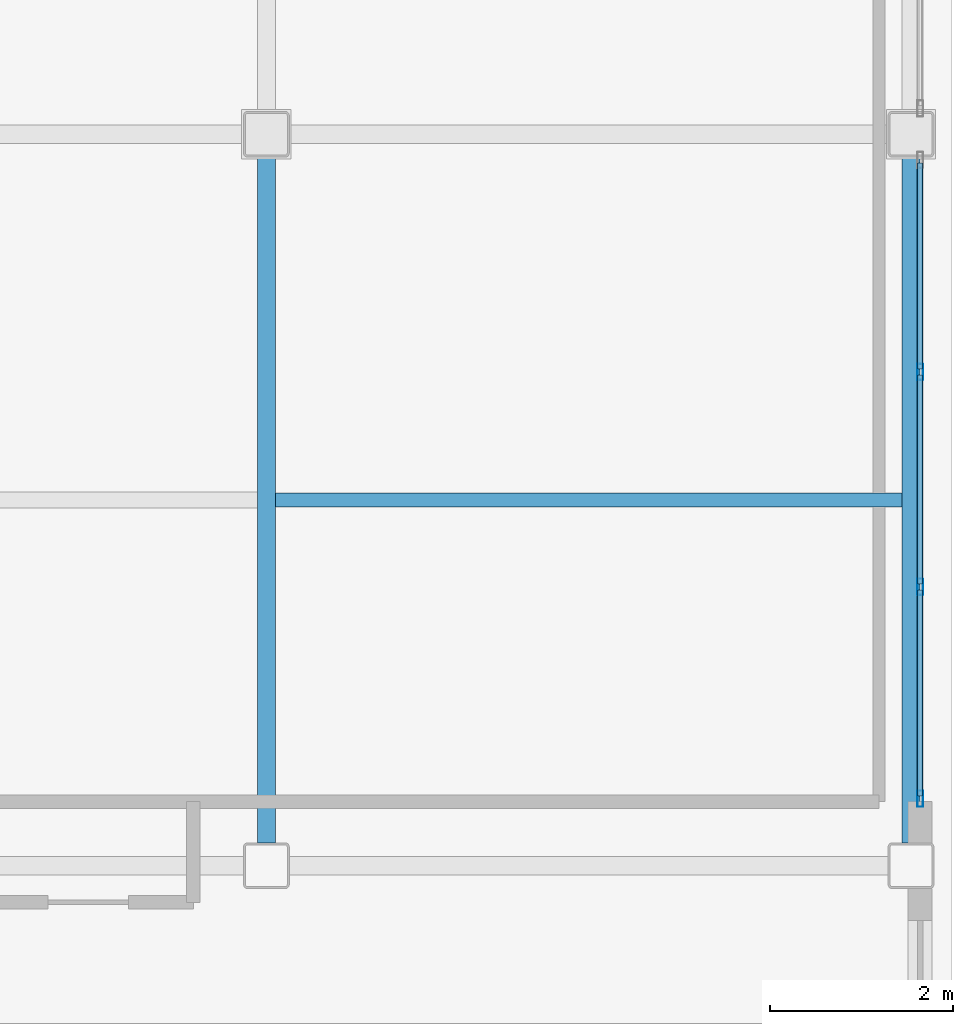
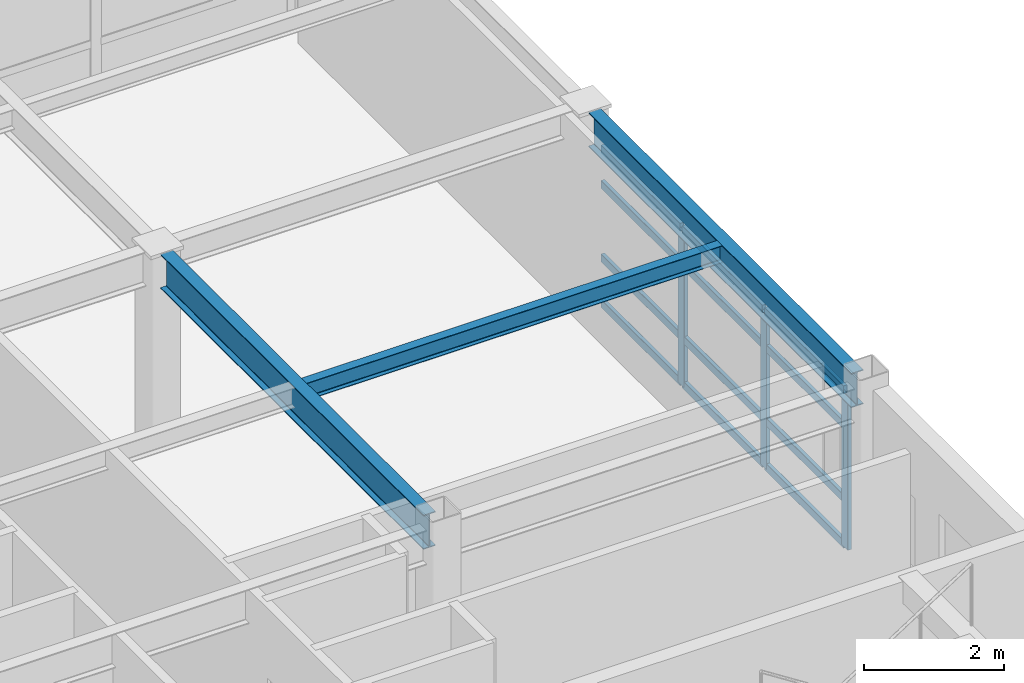
# One storey, part 16 of 33: 15 members, 3 beams, 1 element without a shape of its own.
"""IFC4 building model written with IfcOpenShell, lengths in metres."""

from ifc_helpers import new_model, si_unit, direction, frame, origin, origin_2d, place, context, subcontext, project, spatial, hollow_rectangle, i_section, extrude, material, layer, layer_set, material_profile, profile_set, type_object, element, aggregate, save


model = new_model("IFC4")

# Units and contexts
model_context = context("Model", 3, precision=1e-05, world=origin(), true_north=direction((0.0, 1.0)))
body_context = subcontext(model_context, "Body", "Model", "MODEL_VIEW")
ifc_project = project(units=[si_unit("LENGTHUNIT", "METRE"), si_unit("AREAUNIT", "SQUARE_METRE"), si_unit("VOLUMEUNIT", "CUBIC_METRE"), si_unit("PLANEANGLEUNIT", "RADIAN"), si_unit("MASSUNIT", "GRAM", prefix="KILO")], contexts=[model_context])

# Site, building, storey
site_placement = place(None, origin())
site = spatial("IfcSite", under=ifc_project, at=site_placement, CompositionType="ELEMENT")
building_placement = place(site_placement, origin())
building = spatial("IfcBuilding", under=site, at=building_placement, Name="Kazehara Bluff Congress Hotel", CompositionType="ELEMENT")
storey_placement = place(building_placement, frame((0.0, 0.0, 39.0)))
storey = spatial("IfcBuildingStorey", under=building, at=storey_placement, Name="L09", CompositionType="ELEMENT", Elevation=39.0)

# Curtain wall, members
ifc_material_1 = material(Name="Anodised aluminium", Category="aluminium")
ifc_layer = layer(ifc_material_1, 0.159912109375)
ifc_layer_set = layer_set([ifc_layer], Name="Anodised aluminium")
curtain_wall_type = type_object("IfcCurtainWallType", Name="TP-CW-194", PredefinedType="NOTDEFINED", material=ifc_layer_set)
curtain_wall_placement = place(storey_placement, origin())
curtain_wall = element("IfcCurtainWall", 1, at=curtain_wall_placement, inside=storey, type_object=curtain_wall_type, Name="L09 curtain wall CW-194 CW-ENC-V5-L09-16765-8512", PredefinedType="NOTDEFINED")
ifc_material_2 = material(Name="Anodised aluminium", Category="aluminium")
ifc_material_profile_1 = material_profile(ifc_material_2, hollow_rectangle(XDim=0.06494140625, YDim=0.179931640625, WallThickness=0.00390625, InnerFilletRadius=0.00390625, OuterFilletRadius=0.008056640625, at=origin_2d()))
ifc_profile_set_1 = profile_set([ifc_material_profile_1], Name="Anodised aluminium")
member_type_1 = type_object("IfcMemberType", Name="TP-CWM-02", PredefinedType="MULLION", material=ifc_profile_set_1)
member_1_placement = place(storey_placement, frame((167.64990234375, 86.300048828125, 0.0), z_axis=(0.0, 0.0, 1.0), x_axis=(1.0, 0.0, 0.0)))
member_1 = element("IfcMember", 2, at=member_1_placement, type_object=member_type_1, Name="CW-194 mullion 2", PredefinedType="MULLION", context=body_context, shape_type="SweptSolid", body=[
    extrude(hollow_rectangle(XDim=0.06494140625, YDim=0.179931640625, WallThickness=0.00390625, InnerFilletRadius=0.00390625, OuterFilletRadius=0.008056640625, at=origin_2d()), origin(), (0.0, 0.0, 1.0), 2.7548828125),
])
member_2_placement = place(storey_placement, frame((167.64990234375, 83.949951171875, 0.0), z_axis=(0.0, 0.0, 1.0), x_axis=(1.0, 0.0, 0.0)))
member_2 = element("IfcMember", 3, at=member_2_placement, type_object=member_type_1, Name="CW-194 mullion 3", PredefinedType="MULLION", context=body_context, shape_type="SweptSolid", body=[
    extrude(hollow_rectangle(XDim=0.06494140625, YDim=0.179931640625, WallThickness=0.00390625, InnerFilletRadius=0.00390625, OuterFilletRadius=0.008056640625, at=origin_2d()), origin(), (0.0, 0.0, 1.0), 2.7548828125),
])
member_3_placement = place(storey_placement, frame((167.64990234375, 81.632568359375, 0.0), z_axis=(0.0, 0.0, 1.0), x_axis=(1.0, 0.0, 0.0)))
member_3 = element("IfcMember", 4, at=member_3_placement, type_object=member_type_1, Name="CW-194 mullion 4", PredefinedType="MULLION", context=body_context, shape_type="SweptSolid", body=[
    extrude(hollow_rectangle(XDim=0.06494140625, YDim=0.179931640625, WallThickness=0.00390625, InnerFilletRadius=0.00390625, OuterFilletRadius=0.008056640625, at=origin_2d()), origin(), (0.0, 0.0, 1.0), 2.7548828125),
])
ifc_material_3 = material(Name="Anodised aluminium", Category="aluminium")
ifc_material_profile_2 = material_profile(ifc_material_3, hollow_rectangle(XDim=0.06494140625, YDim=0.139892578125, WallThickness=0.00390625, InnerFilletRadius=0.00390625, OuterFilletRadius=0.008056640625, at=origin_2d()))
ifc_profile_set_2 = profile_set([ifc_material_profile_2], Name="Anodised aluminium")
member_type_2 = type_object("IfcMemberType", Name="TP-CWT-02", PredefinedType="USERDEFINED", material=ifc_profile_set_2)
member_4_placement = place(storey_placement, frame((167.64990234375, 88.5849609375, 0.032470703125), z_axis=(0.0, -1.0, 0.0), x_axis=(1.0, 0.0, 0.0)))
member_4 = element("IfcMember", 5, at=member_4_placement, type_object=member_type_2, Name="CW-194 transom 1.1", ObjectType="TRANSOM", PredefinedType="USERDEFINED", context=body_context, shape_type="SweptSolid", body=[
    extrude(hollow_rectangle(XDim=0.06494140625, YDim=0.139892578125, WallThickness=0.00390625, InnerFilletRadius=0.00390625, OuterFilletRadius=0.008056640625, at=origin_2d()), origin(), (0.0, 0.0, 1.0), 2.25244140625),
])
member_5_placement = place(storey_placement, frame((167.64990234375, 88.5849609375, 0.824951171875), z_axis=(0.0, -1.0, 0.0), x_axis=(1.0, 0.0, 0.0)))
member_5 = element("IfcMember", 6, at=member_5_placement, type_object=member_type_2, Name="CW-194 transom 1.2", ObjectType="TRANSOM", PredefinedType="USERDEFINED", context=body_context, shape_type="SweptSolid", body=[
    extrude(hollow_rectangle(XDim=0.06494140625, YDim=0.139892578125, WallThickness=0.00390625, InnerFilletRadius=0.00390625, OuterFilletRadius=0.008056640625, at=origin_2d()), origin(), (0.0, 0.0, 1.0), 2.25244140625),
])
member_6_placement = place(storey_placement, frame((167.64990234375, 88.5849609375, 2.10498046875), z_axis=(0.0, -1.0, 0.0), x_axis=(1.0, 0.0, 0.0)))
member_6 = element("IfcMember", 7, at=member_6_placement, type_object=member_type_2, Name="CW-194 transom 1.3", ObjectType="TRANSOM", PredefinedType="USERDEFINED", context=body_context, shape_type="SweptSolid", body=[
    extrude(hollow_rectangle(XDim=0.06494140625, YDim=0.139892578125, WallThickness=0.00390625, InnerFilletRadius=0.00390625, OuterFilletRadius=0.008056640625, at=origin_2d()), origin(), (0.0, 0.0, 1.0), 2.25244140625),
])
member_7_placement = place(storey_placement, frame((167.64990234375, 88.5849609375, 2.722412109375), z_axis=(0.0, -1.0, 0.0), x_axis=(1.0, 0.0, 0.0)))
member_7 = element("IfcMember", 8, at=member_7_placement, type_object=member_type_2, Name="CW-194 transom 1.4", ObjectType="TRANSOM", PredefinedType="USERDEFINED", context=body_context, shape_type="SweptSolid", body=[
    extrude(hollow_rectangle(XDim=0.06494140625, YDim=0.139892578125, WallThickness=0.00390625, InnerFilletRadius=0.00390625, OuterFilletRadius=0.008056640625, at=origin_2d()), origin(), (0.0, 0.0, 1.0), 2.25244140625),
])
member_8_placement = place(storey_placement, frame((167.64990234375, 86.267578125, 0.032470703125), z_axis=(0.0, -1.0, 0.0), x_axis=(1.0, 0.0, 0.0)))
member_8 = element("IfcMember", 9, at=member_8_placement, type_object=member_type_2, Name="CW-194 transom 2.1", ObjectType="TRANSOM", PredefinedType="USERDEFINED", context=body_context, shape_type="SweptSolid", body=[
    extrude(hollow_rectangle(XDim=0.06494140625, YDim=0.139892578125, WallThickness=0.00390625, InnerFilletRadius=0.00390625, OuterFilletRadius=0.008056640625, at=origin_2d()), origin(), (0.0, 0.0, 1.0), 2.28515625),
])
member_9_placement = place(storey_placement, frame((167.64990234375, 86.267578125, 0.824951171875), z_axis=(0.0, -1.0, 0.0), x_axis=(1.0, 0.0, 0.0)))
member_9 = element("IfcMember", 10, at=member_9_placement, type_object=member_type_2, Name="CW-194 transom 2.2", ObjectType="TRANSOM", PredefinedType="USERDEFINED", context=body_context, shape_type="SweptSolid", body=[
    extrude(hollow_rectangle(XDim=0.06494140625, YDim=0.139892578125, WallThickness=0.00390625, InnerFilletRadius=0.00390625, OuterFilletRadius=0.008056640625, at=origin_2d()), origin(), (0.0, 0.0, 1.0), 2.28515625),
])
member_10_placement = place(storey_placement, frame((167.64990234375, 86.267578125, 2.10498046875), z_axis=(0.0, -1.0, 0.0), x_axis=(1.0, 0.0, 0.0)))
member_10 = element("IfcMember", 11, at=member_10_placement, type_object=member_type_2, Name="CW-194 transom 2.3", ObjectType="TRANSOM", PredefinedType="USERDEFINED", context=body_context, shape_type="SweptSolid", body=[
    extrude(hollow_rectangle(XDim=0.06494140625, YDim=0.139892578125, WallThickness=0.00390625, InnerFilletRadius=0.00390625, OuterFilletRadius=0.008056640625, at=origin_2d()), origin(), (0.0, 0.0, 1.0), 2.28515625),
])
member_11_placement = place(storey_placement, frame((167.64990234375, 86.267578125, 2.722412109375), z_axis=(0.0, -1.0, 0.0), x_axis=(1.0, 0.0, 0.0)))
member_11 = element("IfcMember", 12, at=member_11_placement, type_object=member_type_2, Name="CW-194 transom 2.4", ObjectType="TRANSOM", PredefinedType="USERDEFINED", context=body_context, shape_type="SweptSolid", body=[
    extrude(hollow_rectangle(XDim=0.06494140625, YDim=0.139892578125, WallThickness=0.00390625, InnerFilletRadius=0.00390625, OuterFilletRadius=0.008056640625, at=origin_2d()), origin(), (0.0, 0.0, 1.0), 2.28515625),
])
member_12_placement = place(storey_placement, frame((167.64990234375, 83.91748046875, 0.032470703125), z_axis=(0.0, -1.0, 0.0), x_axis=(1.0, 0.0, 0.0)))
member_12 = element("IfcMember", 13, at=member_12_placement, type_object=member_type_2, Name="CW-194 transom 3.1", ObjectType="TRANSOM", PredefinedType="USERDEFINED", context=body_context, shape_type="SweptSolid", body=[
    extrude(hollow_rectangle(XDim=0.06494140625, YDim=0.139892578125, WallThickness=0.00390625, InnerFilletRadius=0.00390625, OuterFilletRadius=0.008056640625, at=origin_2d()), origin(), (0.0, 0.0, 1.0), 2.25244140625),
])
member_13_placement = place(storey_placement, frame((167.64990234375, 83.91748046875, 0.824951171875), z_axis=(0.0, -1.0, 0.0), x_axis=(1.0, 0.0, 0.0)))
member_13 = element("IfcMember", 14, at=member_13_placement, type_object=member_type_2, Name="CW-194 transom 3.2", ObjectType="TRANSOM", PredefinedType="USERDEFINED", context=body_context, shape_type="SweptSolid", body=[
    extrude(hollow_rectangle(XDim=0.06494140625, YDim=0.139892578125, WallThickness=0.00390625, InnerFilletRadius=0.00390625, OuterFilletRadius=0.008056640625, at=origin_2d()), origin(), (0.0, 0.0, 1.0), 2.25244140625),
])
member_14_placement = place(storey_placement, frame((167.64990234375, 83.91748046875, 2.10498046875), z_axis=(0.0, -1.0, 0.0), x_axis=(1.0, 0.0, 0.0)))
member_14 = element("IfcMember", 15, at=member_14_placement, type_object=member_type_2, Name="CW-194 transom 3.3", ObjectType="TRANSOM", PredefinedType="USERDEFINED", context=body_context, shape_type="SweptSolid", body=[
    extrude(hollow_rectangle(XDim=0.06494140625, YDim=0.139892578125, WallThickness=0.00390625, InnerFilletRadius=0.00390625, OuterFilletRadius=0.008056640625, at=origin_2d()), origin(), (0.0, 0.0, 1.0), 2.25244140625),
])
member_15_placement = place(storey_placement, frame((167.64990234375, 83.91748046875, 2.722412109375), z_axis=(0.0, -1.0, 0.0), x_axis=(1.0, 0.0, 0.0)))
member_15 = element("IfcMember", 16, at=member_15_placement, type_object=member_type_2, Name="CW-194 transom 3.4", ObjectType="TRANSOM", PredefinedType="USERDEFINED", context=body_context, shape_type="SweptSolid", body=[
    extrude(hollow_rectangle(XDim=0.06494140625, YDim=0.139892578125, WallThickness=0.00390625, InnerFilletRadius=0.00390625, OuterFilletRadius=0.008056640625, at=origin_2d()), origin(), (0.0, 0.0, 1.0), 2.25244140625),
])
aggregate(curtain_wall, [member_1, member_2, member_3, member_4, member_5, member_6, member_7, member_8, member_9, member_10, member_11, member_12, member_13, member_14, member_15])

# Beams
ifc_material_4 = material(Name="Steel SN490B", Category="steel")
ifc_material_profile_3 = material_profile(ifc_material_4, i_section(OverallWidth=0.199951171875, OverallDepth=0.60009765625, WebThickness=0.010986328125, FlangeThickness=0.01708984375, FilletRadius=0.012939453125, at=origin_2d()))
ifc_profile_set_3 = profile_set([ifc_material_profile_3], Name="Steel SN490B")
beam_type_1 = type_object("IfcBeamType", Name="TP-G-02", PredefinedType="BEAM", material=ifc_profile_set_3)
for number, where, z_axis, x_axis, name in (
    (17, (160.5, 81.14990234375, 3.080078125), (0.0, 1.0, 0.0), (-1.0, 0.0, 0.0), "L09 girder G-02 26"),
    (18, (167.550048828125, 81.14990234375, 3.080078125), (0.0, 1.0, 0.0), (-1.0, 0.0, 0.0), "L09 girder G-02 34"),
):
    element("IfcBeam", number, at=place(storey_placement, frame(where, z_axis=z_axis, x_axis=x_axis)), inside=storey, type_object=beam_type_1, Name=name, PredefinedType="BEAM", context=body_context, shape_type="SweptSolid", body=[
        extrude(i_section(OverallWidth=0.199951171875, OverallDepth=0.60009765625, WebThickness=0.010986328125, FlangeThickness=0.01708984375, FilletRadius=0.012939453125, at=origin_2d()), origin(), (0.0, 0.0, 1.0), 7.5),
    ])
ifc_material_5 = material(Name="Steel SN400B", Category="steel")
ifc_material_profile_4 = material_profile(ifc_material_5, i_section(OverallWidth=0.14990234375, OverallDepth=0.300048828125, WebThickness=0.006591796875, FlangeThickness=0.009033203125, FilletRadius=0.012939453125, at=origin_2d()))
ifc_profile_set_4 = profile_set([ifc_material_profile_4], Name="Steel SN400B")
beam_type_2 = type_object("IfcBeamType", Name="TP-J-01", PredefinedType="JOIST", material=ifc_profile_set_4)
beam_placement = place(storey_placement, frame((160.60009765625, 84.89990234375, 3.22998046875), z_axis=(1.0, 0.0, 0.0), x_axis=(0.0, 1.0, 0.0)))
element("IfcBeam", 19, at=beam_placement, inside=storey, type_object=beam_type_2, Name="L09 secondary joist J-01 19", PredefinedType="JOIST", context=body_context, shape_type="SweptSolid", body=[
    extrude(i_section(OverallWidth=0.14990234375, OverallDepth=0.300048828125, WebThickness=0.006591796875, FlangeThickness=0.009033203125, FilletRadius=0.012939453125, at=origin_2d()), origin(), (0.0, 0.0, 1.0), 6.849853515625),
])

save(model, "model.ifc")
